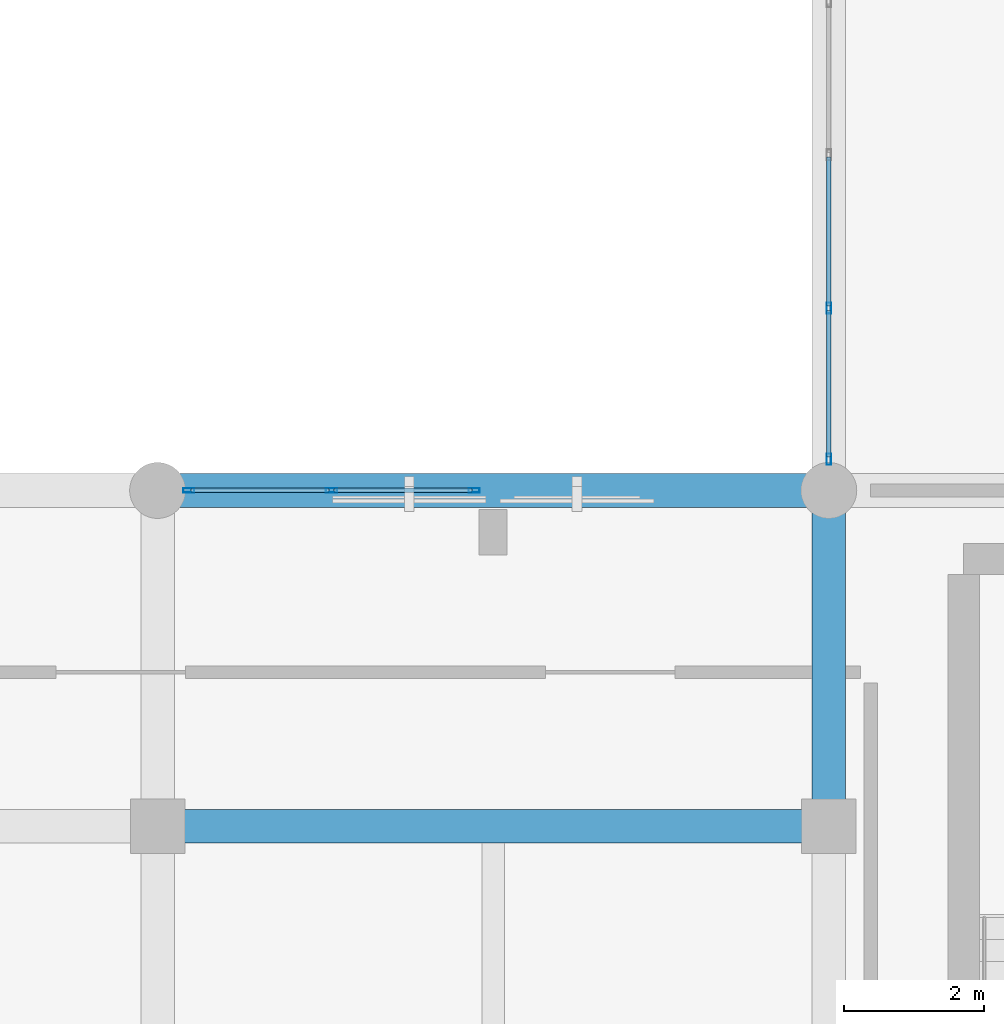
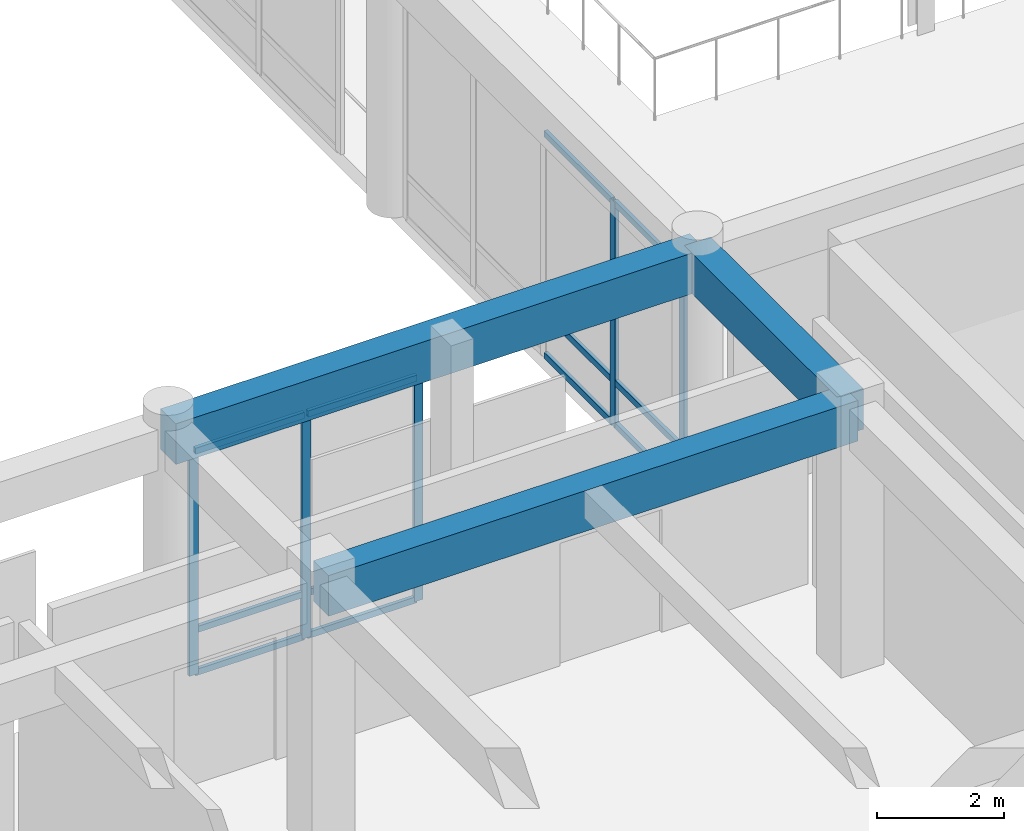
# One storey, part 34 of 134: 17 members, 3 beams, 2 elements without a shape of their own.
"""IFC4 building model written with IfcOpenShell, lengths in metres."""

from ifc_helpers import new_model, si_unit, direction, frame, origin, origin_2d, place, context, subcontext, project, spatial, rectangle, hollow_rectangle, extrude, material, layer, layer_set, material_profile, profile_set, type_object, element, aggregate, save


model = new_model("IFC4")

# Units and contexts
model_context = context("Model", 3, precision=1e-05, world=origin(), true_north=direction((0.0, 1.0)))
body_context = subcontext(model_context, "Body", "Model", "MODEL_VIEW")
ifc_project = project(units=[si_unit("LENGTHUNIT", "METRE"), si_unit("AREAUNIT", "SQUARE_METRE"), si_unit("VOLUMEUNIT", "CUBIC_METRE"), si_unit("PLANEANGLEUNIT", "RADIAN"), si_unit("MASSUNIT", "GRAM", prefix="KILO")], contexts=[model_context])

# Site, building, storey
site_placement = place(None, origin())
site = spatial("IfcSite", under=ifc_project, at=site_placement, CompositionType="ELEMENT")
building_placement = place(site_placement, origin())
building = spatial("IfcBuilding", under=site, at=building_placement, Name="Nakhvara Creek Congress Hotel", CompositionType="ELEMENT")
storey_placement = place(building_placement, frame((0.0, 0.0, 6.0)))
storey = spatial("IfcBuildingStorey", under=building, at=storey_placement, Name="L01", CompositionType="ELEMENT", Elevation=6.0)

# Beams
ifc_material_1 = material(Name="Concrete C40/50", Category="concrete")
ifc_material_profile_1 = material_profile(ifc_material_1, rectangle(XDim=0.47998046875, YDim=0.780029296875, at=origin_2d()), Name="RC-BM 480x780", Category="LoadBearing")
ifc_profile_set_1 = profile_set([ifc_material_profile_1], Name="Concrete C40/50")
beam_type = type_object("IfcBeamType", Name="BM-RC-480X780", PredefinedType="BEAM", material=ifc_profile_set_1)
for number, where, z_axis, x_axis, name in (
    (1, (115.199951171875, 38.39990234375, 4.7099609375), (1.0, 0.0, 0.0), (0.0, 1.0, 0.0), "Beam B13-L01-1211"),
    (2, (115.199951171875, 43.199951171875, 4.7099609375), (1.0, 0.0, 0.0), (0.0, 1.0, 0.0), "Beam B13-L01-1212"),
):
    element("IfcBeam", number, at=place(storey_placement, frame(where, z_axis=z_axis, x_axis=x_axis)), inside=storey, type_object=beam_type, Name=name, PredefinedType="BEAM", context=body_context, shape_type="SweptSolid", body=[
        extrude(rectangle(XDim=0.47998046875, YDim=0.780029296875, at=origin_2d()), origin(), (0.0, 0.0, 1.0), 9.60009765625),
    ])
beam_placement = place(storey_placement, frame((124.800048828125, 38.39990234375, 4.7099609375), z_axis=(0.0, 1.0, 0.0), x_axis=(-1.0, 0.0, 0.0)))
element("IfcBeam", 3, at=beam_placement, inside=storey, type_object=beam_type, Name="Beam B13-L01-1225", PredefinedType="BEAM", context=body_context, shape_type="SweptSolid", body=[
    extrude(rectangle(XDim=0.47998046875, YDim=0.780029296875, at=origin_2d()), origin(), (0.0, 0.0, 1.0), 4.800048828125),
])

# Curtain wall, members
ifc_material_2 = material(Name="Bronze-anodised aluminium AW-6063-T6 and double-silver low-E glass", Category="aluminium")
ifc_layer = layer(ifc_material_2, 0.199951171875)
ifc_layer_set = layer_set([ifc_layer], Name="Bronze-anodised aluminium AW-6063-T6 and double-silver low-E glass")
curtain_wall_type = type_object("IfcCurtainWallType", Name="CW-POD-STICK", PredefinedType="NOTDEFINED", material=ifc_layer_set)
curtain_wall_1_placement = place(storey_placement, origin())
curtain_wall_1 = element("IfcCurtainWall", 4, at=curtain_wall_1_placement, inside=storey, type_object=curtain_wall_type, Name="Curtain Wall CW025", PredefinedType="NOTDEFINED")
ifc_material_3 = material(Name="Bronze-anodised aluminium AW-6063-T6", Category="aluminium")
ifc_material_profile_2 = material_profile(ifc_material_3, hollow_rectangle(XDim=0.06494140625, YDim=0.159912109375, WallThickness=0.00390625, at=origin_2d()), Name="ALU-MULL 65x160x4", Category="LoadBearing")
ifc_profile_set_2 = profile_set([ifc_material_profile_2], Name="Bronze-anodised aluminium AW-6063-T6")
member_type_1 = type_object("IfcMemberType", Name="CW-MULL-160", PredefinedType="MULLION", material=ifc_profile_set_2)
member_1_placement = place(storey_placement, frame((115.6474609375, 43.199951171875, 0.0), z_axis=(0.0, 0.0, 1.0), x_axis=(0.0, 1.0, 0.0)))
member_1 = element("IfcMember", 5, at=member_1_placement, type_object=member_type_1, Name="CW025 mullion 1", PredefinedType="MULLION", context=body_context, shape_type="SweptSolid", body=[
    extrude(hollow_rectangle(XDim=0.06494140625, YDim=0.159912109375, WallThickness=0.00390625, at=origin_2d()), origin(), (0.0, 0.0, 1.0), 4.31201171875),
])
member_2_placement = place(storey_placement, frame((117.6875, 43.199951171875, 0.0), z_axis=(0.0, 0.0, 1.0), x_axis=(0.0, 1.0, 0.0)))
member_2 = element("IfcMember", 6, at=member_2_placement, type_object=member_type_1, Name="CW025 mullion 2", PredefinedType="MULLION", context=body_context, shape_type="SweptSolid", body=[
    extrude(hollow_rectangle(XDim=0.06494140625, YDim=0.159912109375, WallThickness=0.00390625, at=origin_2d()), origin(), (0.0, 0.0, 1.0), 4.31201171875),
])
member_3_placement = place(storey_placement, frame((119.7275390625, 43.199951171875, 0.0), z_axis=(0.0, 0.0, 1.0), x_axis=(0.0, 1.0, 0.0)))
member_3 = element("IfcMember", 7, at=member_3_placement, type_object=member_type_1, Name="CW025 mullion 3", PredefinedType="MULLION", context=body_context, shape_type="SweptSolid", body=[
    extrude(hollow_rectangle(XDim=0.06494140625, YDim=0.159912109375, WallThickness=0.00390625, at=origin_2d()), origin(), (0.0, 0.0, 1.0), 4.31201171875),
])

curtain_wall_2_placement = place(storey_placement, origin())
curtain_wall_2 = element("IfcCurtainWall", 8, at=curtain_wall_2_placement, inside=storey, type_object=curtain_wall_type, Name="Curtain Wall CW028", PredefinedType="NOTDEFINED")
member_4_placement = place(storey_placement, frame((124.800048828125, 43.6474609375, 0.0), z_axis=(0.0, 0.0, 1.0), x_axis=(-1.0, 0.0, 0.0)))
member_4 = element("IfcMember", 9, at=member_4_placement, type_object=member_type_1, Name="CW028 mullion 1", PredefinedType="MULLION", context=body_context, shape_type="SweptSolid", body=[
    extrude(hollow_rectangle(XDim=0.06494140625, YDim=0.159912109375, WallThickness=0.00390625, at=origin_2d()), origin(), (0.0, 0.0, 1.0), 4.31201171875),
])
member_5_placement = place(storey_placement, frame((124.800048828125, 45.8076171875, 0.0), z_axis=(0.0, 0.0, 1.0), x_axis=(-1.0, 0.0, 0.0)))
member_5 = element("IfcMember", 10, at=member_5_placement, type_object=member_type_1, Name="CW028 mullion 2", PredefinedType="MULLION", context=body_context, shape_type="SweptSolid", body=[
    extrude(hollow_rectangle(XDim=0.06494140625, YDim=0.159912109375, WallThickness=0.00390625, at=origin_2d()), origin(), (0.0, 0.0, 1.0), 4.31201171875),
])

# Member
ifc_material_profile_3 = material_profile(ifc_material_3, hollow_rectangle(XDim=0.06494140625, YDim=0.1201171875, WallThickness=0.00390625, at=origin_2d()), Name="ALU-TRAN 65x120x4", Category="LoadBearing")
ifc_profile_set_3 = profile_set([ifc_material_profile_3], Name="Bronze-anodised aluminium AW-6063-T6")
member_type_2 = type_object("IfcMemberType", Name="CW-TRAN-120", PredefinedType="USERDEFINED", material=ifc_profile_set_3)
member_6_placement = place(storey_placement, frame((115.679931640625, 43.199951171875, 0.032470703125), z_axis=(1.0, 0.0, 0.0), x_axis=(0.0, 1.0, 0.0)))
member_6 = element("IfcMember", 11, at=member_6_placement, type_object=member_type_2, Name="CW025 transom 1.1", ObjectType="TRANSOM", PredefinedType="USERDEFINED", context=body_context, shape_type="SweptSolid", body=[
    extrude(hollow_rectangle(XDim=0.06494140625, YDim=0.1201171875, WallThickness=0.00390625, at=origin_2d()), origin(), (0.0, 0.0, 1.0), 1.97509765625),
])

member_7_placement = place(storey_placement, frame((115.679931640625, 43.199951171875, 0.85009765625), z_axis=(1.0, 0.0, 0.0), x_axis=(0.0, 1.0, 0.0)))
member_7 = element("IfcMember", 12, at=member_7_placement, type_object=member_type_2, Name="CW025 transom 1.2", ObjectType="TRANSOM", PredefinedType="USERDEFINED", context=body_context, shape_type="SweptSolid", body=[
    extrude(hollow_rectangle(XDim=0.06494140625, YDim=0.1201171875, WallThickness=0.00390625, at=origin_2d()), origin(), (0.0, 0.0, 1.0), 1.97509765625),
])

member_8_placement = place(storey_placement, frame((115.679931640625, 43.199951171875, 4.279541015625), z_axis=(1.0, 0.0, 0.0), x_axis=(0.0, 1.0, 0.0)))
member_8 = element("IfcMember", 13, at=member_8_placement, type_object=member_type_2, Name="CW025 transom 1.3", ObjectType="TRANSOM", PredefinedType="USERDEFINED", context=body_context, shape_type="SweptSolid", body=[
    extrude(hollow_rectangle(XDim=0.06494140625, YDim=0.1201171875, WallThickness=0.00390625, at=origin_2d()), origin(), (0.0, 0.0, 1.0), 1.97509765625),
])

member_9_placement = place(storey_placement, frame((117.719970703125, 43.199951171875, 0.032470703125), z_axis=(1.0, 0.0, 0.0), x_axis=(0.0, 1.0, 0.0)))
member_9 = element("IfcMember", 14, at=member_9_placement, type_object=member_type_2, Name="CW025 transom 2.1", ObjectType="TRANSOM", PredefinedType="USERDEFINED", context=body_context, shape_type="SweptSolid", body=[
    extrude(hollow_rectangle(XDim=0.06494140625, YDim=0.1201171875, WallThickness=0.00390625, at=origin_2d()), origin(), (0.0, 0.0, 1.0), 1.97509765625),
])

member_10_placement = place(storey_placement, frame((117.719970703125, 43.199951171875, 0.85009765625), z_axis=(1.0, 0.0, 0.0), x_axis=(0.0, 1.0, 0.0)))
member_10 = element("IfcMember", 15, at=member_10_placement, type_object=member_type_2, Name="CW025 transom 2.2", ObjectType="TRANSOM", PredefinedType="USERDEFINED", context=body_context, shape_type="SweptSolid", body=[
    extrude(hollow_rectangle(XDim=0.06494140625, YDim=0.1201171875, WallThickness=0.00390625, at=origin_2d()), origin(), (0.0, 0.0, 1.0), 1.97509765625),
])

member_11_placement = place(storey_placement, frame((117.719970703125, 43.199951171875, 4.279541015625), z_axis=(1.0, 0.0, 0.0), x_axis=(0.0, 1.0, 0.0)))
member_11 = element("IfcMember", 16, at=member_11_placement, type_object=member_type_2, Name="CW025 transom 2.3", ObjectType="TRANSOM", PredefinedType="USERDEFINED", context=body_context, shape_type="SweptSolid", body=[
    extrude(hollow_rectangle(XDim=0.06494140625, YDim=0.1201171875, WallThickness=0.00390625, at=origin_2d()), origin(), (0.0, 0.0, 1.0), 1.97509765625),
])

aggregate(curtain_wall_1, [member_1, member_2, member_3, member_6, member_7, member_8, member_9, member_10, member_11])

member_12_placement = place(storey_placement, frame((124.800048828125, 43.679931640625, 0.032470703125), z_axis=(0.0, 1.0, 0.0), x_axis=(-1.0, 0.0, 0.0)))
member_12 = element("IfcMember", 17, at=member_12_placement, type_object=member_type_2, Name="CW028 transom 1.1", ObjectType="TRANSOM", PredefinedType="USERDEFINED", context=body_context, shape_type="SweptSolid", body=[
    extrude(hollow_rectangle(XDim=0.06494140625, YDim=0.1201171875, WallThickness=0.00390625, at=origin_2d()), origin(), (0.0, 0.0, 1.0), 2.094970703125),
])

member_13_placement = place(storey_placement, frame((124.800048828125, 43.679931640625, 0.85009765625), z_axis=(0.0, 1.0, 0.0), x_axis=(-1.0, 0.0, 0.0)))
member_13 = element("IfcMember", 18, at=member_13_placement, type_object=member_type_2, Name="CW028 transom 1.2", ObjectType="TRANSOM", PredefinedType="USERDEFINED", context=body_context, shape_type="SweptSolid", body=[
    extrude(hollow_rectangle(XDim=0.06494140625, YDim=0.1201171875, WallThickness=0.00390625, at=origin_2d()), origin(), (0.0, 0.0, 1.0), 2.094970703125),
])

member_14_placement = place(storey_placement, frame((124.800048828125, 43.679931640625, 4.279541015625), z_axis=(0.0, 1.0, 0.0), x_axis=(-1.0, 0.0, 0.0)))
member_14 = element("IfcMember", 19, at=member_14_placement, type_object=member_type_2, Name="CW028 transom 1.3", ObjectType="TRANSOM", PredefinedType="USERDEFINED", context=body_context, shape_type="SweptSolid", body=[
    extrude(hollow_rectangle(XDim=0.06494140625, YDim=0.1201171875, WallThickness=0.00390625, at=origin_2d()), origin(), (0.0, 0.0, 1.0), 2.094970703125),
])

member_15_placement = place(storey_placement, frame((124.800048828125, 45.840087890625, 0.032470703125), z_axis=(0.0, 1.0, 0.0), x_axis=(-1.0, 0.0, 0.0)))
member_15 = element("IfcMember", 20, at=member_15_placement, type_object=member_type_2, Name="CW028 transom 2.1", ObjectType="TRANSOM", PredefinedType="USERDEFINED", context=body_context, shape_type="SweptSolid", body=[
    extrude(hollow_rectangle(XDim=0.06494140625, YDim=0.1201171875, WallThickness=0.00390625, at=origin_2d()), origin(), (0.0, 0.0, 1.0), 2.12744140625),
])

member_16_placement = place(storey_placement, frame((124.800048828125, 45.840087890625, 0.85009765625), z_axis=(0.0, 1.0, 0.0), x_axis=(-1.0, 0.0, 0.0)))
member_16 = element("IfcMember", 21, at=member_16_placement, type_object=member_type_2, Name="CW028 transom 2.2", ObjectType="TRANSOM", PredefinedType="USERDEFINED", context=body_context, shape_type="SweptSolid", body=[
    extrude(hollow_rectangle(XDim=0.06494140625, YDim=0.1201171875, WallThickness=0.00390625, at=origin_2d()), origin(), (0.0, 0.0, 1.0), 2.12744140625),
])

member_17_placement = place(storey_placement, frame((124.800048828125, 45.840087890625, 4.279541015625), z_axis=(0.0, 1.0, 0.0), x_axis=(-1.0, 0.0, 0.0)))
member_17 = element("IfcMember", 22, at=member_17_placement, type_object=member_type_2, Name="CW028 transom 2.3", ObjectType="TRANSOM", PredefinedType="USERDEFINED", context=body_context, shape_type="SweptSolid", body=[
    extrude(hollow_rectangle(XDim=0.06494140625, YDim=0.1201171875, WallThickness=0.00390625, at=origin_2d()), origin(), (0.0, 0.0, 1.0), 2.12744140625),
])

aggregate(curtain_wall_2, [member_4, member_5, member_12, member_13, member_14, member_15, member_16, member_17])

save(model, "model.ifc")
